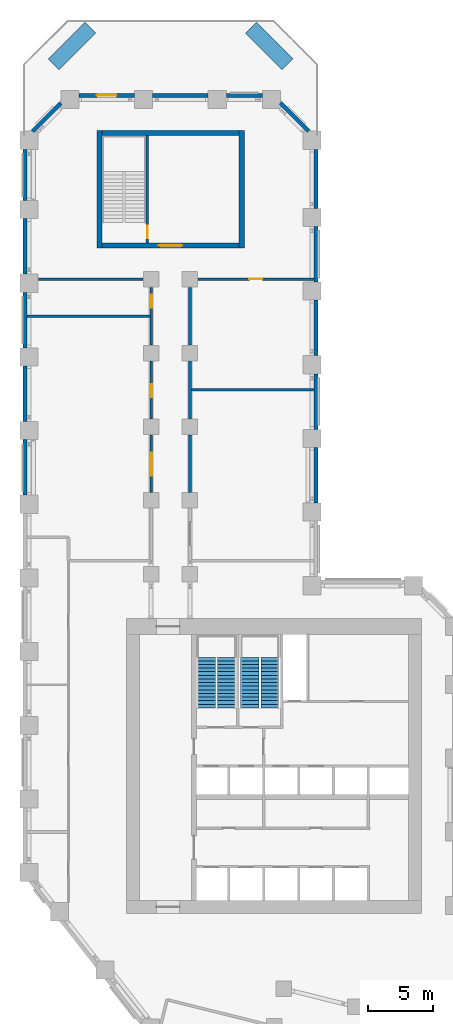
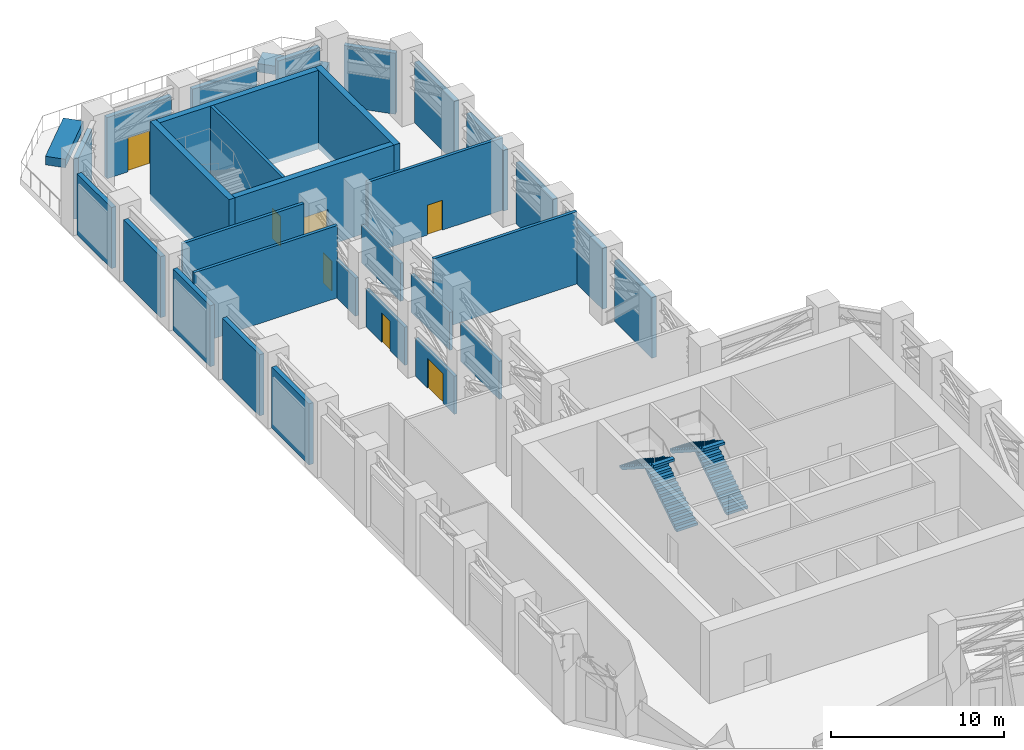
# One storey, part 11 of 14: 32 walls, 7 doors, 4 stair flights, 7 openings, 2 elements without a shape of their own.
"""IFC4 building model written with IfcOpenShell, lengths in metres."""

from ifc_helpers import new_model, si_unit, direction, frame, frame_2d, origin, place, context, subcontext, project, spatial, polyline, rectangle, outline, extrude, material, layer, layer_set, type_object, element, fill, aggregate, save


model = new_model("IFC4")

# Units and contexts
model_context = context("Model", 3, precision=1e-05, world=origin(), true_north=direction((0.0, 1.0)))
body_context = subcontext(model_context, "Body", "Model", "MODEL_VIEW")
ifc_project = project(units=[si_unit("LENGTHUNIT", "METRE"), si_unit("AREAUNIT", "SQUARE_METRE"), si_unit("VOLUMEUNIT", "CUBIC_METRE"), si_unit("PLANEANGLEUNIT", "RADIAN"), si_unit("MASSUNIT", "GRAM", prefix="KILO")], contexts=[model_context])

# Site, building, storey
site_placement = place(None, origin())
site = spatial("IfcSite", under=ifc_project, at=site_placement, CompositionType="ELEMENT")
building_placement = place(site_placement, origin())
building = spatial("IfcBuilding", under=site, at=building_placement, Name="Meshkara Civic Tower", CompositionType="ELEMENT")
storey_placement = place(building_placement, frame((0.0, 0.0, 91.800048828125)))
storey = spatial("IfcBuildingStorey", under=building, at=storey_placement, Name="L20", CompositionType="ELEMENT", Elevation=91.800048828125)

# Walls
ifc_material_1 = material(Name="Insulated infill panel with bronze anodised aluminium cladding", Category="aluminium")
ifc_layer_1 = layer(ifc_material_1, 0.300048828125)
ifc_layer_set_1 = layer_set([ifc_layer_1], Name="EXTERNAL INFILL WALL 300")
wall_type_1 = type_object("IfcWallType", Name="EXTERNAL INFILL WALL 300", PredefinedType="SOLIDWALL", material=ifc_layer_set_1)
wall_1_placement = place(storey_placement, frame((22.64990234375, 45.85009765625, 0.0), z_axis=(0.0, 0.0, 1.0), x_axis=(0.0, 1.0, 0.0)))
element("IfcWall", 1, at=wall_1_placement, inside=storey, type_object=wall_type_1, Name="External wall", PredefinedType="SOLIDWALL", context=body_context, shape_type="SweptSolid", body=[
    extrude(rectangle(XDim=4.2998046875, YDim=0.300048828125, at=frame_2d((2.14990234375, 0.0))), origin(), (0.0, 0.0, 1.0), 4.300048828125),
])
wall_2_placement = place(storey_placement, frame((22.64990234375, 51.550048828125, 0.0), z_axis=(0.0, 0.0, 1.0), x_axis=(0.0, 1.0, 0.0)))
element("IfcWall", 2, at=wall_2_placement, inside=storey, type_object=wall_type_1, Name="External wall", PredefinedType="SOLIDWALL", context=body_context, shape_type="SweptSolid", body=[
    extrude(rectangle(XDim=4.299072265625, YDim=0.300048828125, at=frame_2d((2.1494140625, 0.0))), origin(), (0.0, 0.0, 1.0), 4.300048828125),
])
for number, where, z_axis, x_axis, name in (
    (3, (22.64990234375, 57.25, 0.0), (0.0, 0.0, 1.0), (0.0, 1.0, 0.0), "External wall"),
    (4, (22.64990234375, 62.949951171875, 0.0), (0.0, 0.0, 1.0), (0.0, 1.0, 0.0), "External wall"),
):
    element("IfcWall", number, at=place(storey_placement, frame(where, z_axis=z_axis, x_axis=x_axis)), inside=storey, type_object=wall_type_1, Name=name, PredefinedType="SOLIDWALL", context=body_context, shape_type="SweptSolid", body=[
        extrude(rectangle(XDim=4.300048828125, YDim=0.300048828125, at=frame_2d((2.14990234375, 0.0))), origin(), (0.0, 0.0, 1.0), 4.300048828125),
    ])
wall_3_placement = place(storey_placement, frame((22.64990234375, 68.64990234375, 0.0), z_axis=(0.0, 0.0, 1.0), x_axis=(0.0, 1.0, 0.0)))
element("IfcWall", 5, at=wall_3_placement, inside=storey, type_object=wall_type_1, Name="External wall", PredefinedType="SOLIDWALL", context=body_context, shape_type="SweptSolid", body=[
    extrude(rectangle(XDim=4.56298828125, YDim=0.300048828125, at=frame_2d((2.281494140625, 0.0))), origin(), (0.0, 0.0, 1.0), 4.300048828125),
])
wall_4_placement = place(storey_placement, frame((22.073974609375, 74.614013671875, 0.0), z_axis=(0.0, 0.0, 1.0), x_axis=(-0.707106781187, 0.707106781187, 0.0)))
element("IfcWall", 6, at=wall_4_placement, inside=storey, type_object=wall_type_1, Name="External wall", PredefinedType="SOLIDWALL", context=body_context, shape_type="SweptSolid", body=[
    extrude(rectangle(XDim=3.0830078125, YDim=0.300048828125, at=frame_2d((1.54150390625, 0.0))), origin(), (0.0, 0.0, 1.0), 4.300048828125),
])
wall_5_placement = place(storey_placement, frame((18.493896484375, 77.3701171875, 0.0), z_axis=(0.0, 0.0, 1.0), x_axis=(-1.0, 0.0, 0.0)))
element("IfcWall", 7, at=wall_5_placement, inside=storey, type_object=wall_type_1, Name="External wall", PredefinedType="SOLIDWALL", context=body_context, shape_type="SweptSolid", body=[
    extrude(rectangle(XDim=2.786865234375, YDim=0.300048828125, at=frame_2d((1.3935546875, 0.0))), origin(), (0.0, 0.0, 1.0), 4.300048828125),
])
wall_6_placement = place(storey_placement, frame((14.305908203125, 77.3701171875, 0.0), z_axis=(0.0, 0.0, 1.0), x_axis=(-1.0, 0.0, 0.0)))
element("IfcWall", 8, at=wall_6_placement, inside=storey, type_object=wall_type_1, Name="External wall", PredefinedType="SOLIDWALL", context=body_context, shape_type="SweptSolid", body=[
    extrude(rectangle(XDim=4.2998046875, YDim=0.300048828125, at=frame_2d((2.14990234375, 0.0))), origin(), (0.0, 0.0, 1.0), 4.300048828125),
])

# Wall, opening, door
wall_7_placement = place(storey_placement, frame((8.60498046875, 77.3701171875, 0.0), z_axis=(0.0, 0.0, 1.0), x_axis=(-1.0, 0.0, 0.0)))
wall_7 = element("IfcWall", 9, at=wall_7_placement, inside=storey, type_object=wall_type_1, Name="External wall", PredefinedType="SOLIDWALL", context=body_context, shape_type="SweptSolid", body=[
    extrude(rectangle(XDim=4.299072265625, YDim=0.300048828125, at=frame_2d((2.1494140625, 0.0))), origin(), (0.0, 0.0, 1.0), 4.300048828125),
])
opening_1_placement = place(wall_7_placement, frame((1.39892578125, 0.0, 0.0)))
opening_1 = element("IfcOpeningElement", 10, at=opening_1_placement, cuts=wall_7, Name="Opening L20-L001", PredefinedType="OPENING", context=body_context, shape_type="SweptSolid", body=[
    extrude(rectangle(XDim=1.5, YDim=2.39990234375, at=frame_2d((0.75, 1.199951171875))), frame((0.0, 0.159912109375, 0.0), z_axis=(0.0, -1.0, 0.0), x_axis=(1.0, 0.0, 0.0)), (0.0, 0.0, 1.0), 0.320068359375),
])
ifc_material_2 = material(Name="Bronze anodised aluminium", Category="aluminium")
door_type_1 = type_object("IfcDoorType", Name="TERRACE DOOR 1500x2400", OperationType="DOUBLE_DOOR_SINGLE_SWING", PredefinedType="DOOR", material=ifc_material_2)
door_1_placement = place(opening_1_placement, origin())
door_1 = element("IfcDoor", 11, at=door_1_placement, inside=storey, type_object=door_type_1, Name="L20-L001", OperationType="DOUBLE_DOOR_SINGLE_SWING", OverallHeight=2.39990234375, OverallWidth=1.5, PredefinedType="DOOR", context=body_context, shape_type="SweptSolid", body=[
    extrude(rectangle(XDim=1.5, YDim=2.39990234375, at=frame_2d((0.75, 1.199951171875))), frame((0.0, 0.02490234375, 0.0), z_axis=(0.0, -1.0, 0.0), x_axis=(1.0, 0.0, 0.0)), (0.0, 0.0, 1.0), 0.050048828125),
])
fill(opening_1, door_1)

# Walls
wall_8_placement = place(storey_placement, frame((2.906005859375, 76.7939453125, 0.0), z_axis=(0.0, 0.0, 1.0), x_axis=(-0.707106781187, -0.707106781187, 0.0)))
element("IfcWall", 12, at=wall_8_placement, inside=storey, type_object=wall_type_1, Name="External wall", PredefinedType="SOLIDWALL", context=body_context, shape_type="SweptSolid", body=[
    extrude(rectangle(XDim=3.0830078125, YDim=0.300048828125, at=frame_2d((1.54150390625, 0.0))), origin(), (0.0, 0.0, 1.0), 4.300048828125),
])
wall_9_placement = place(storey_placement, frame((0.14990234375, 73.212890625, 0.0), z_axis=(0.0, 0.0, 1.0), x_axis=(0.0, -1.0, 0.0)))
element("IfcWall", 13, at=wall_9_placement, inside=storey, type_object=wall_type_1, Name="External wall", PredefinedType="SOLIDWALL", context=body_context, shape_type="SweptSolid", body=[
    extrude(rectangle(XDim=3.956787109375, YDim=0.300048828125, at=frame_2d((1.978515625, 0.0))), origin(), (0.0, 0.0, 1.0), 4.300048828125),
])
wall_10_placement = place(storey_placement, frame((0.14990234375, 67.85498046875, 0.0), z_axis=(0.0, 0.0, 1.0), x_axis=(0.0, -1.0, 0.0)))
element("IfcWall", 14, at=wall_10_placement, inside=storey, type_object=wall_type_1, Name="External wall", PredefinedType="SOLIDWALL", context=body_context, shape_type="SweptSolid", body=[
    extrude(rectangle(XDim=4.300048828125, YDim=0.300048828125, at=frame_2d((2.14990234375, 0.0))), origin(), (0.0, 0.0, 1.0), 4.300048828125),
])
wall_11_placement = place(storey_placement, frame((0.14990234375, 62.154052734375, 0.0), z_axis=(0.0, 0.0, 1.0), x_axis=(0.0, -1.0, 0.0)))
element("IfcWall", 15, at=wall_11_placement, inside=storey, type_object=wall_type_1, Name="External wall", PredefinedType="SOLIDWALL", context=body_context, shape_type="SweptSolid", body=[
    extrude(rectangle(XDim=4.299072265625, YDim=0.300048828125, at=frame_2d((2.1494140625, 0.0))), origin(), (0.0, 0.0, 1.0), 4.300048828125),
])
wall_12_placement = place(storey_placement, frame((0.14990234375, 56.455078125, 0.0), z_axis=(0.0, 0.0, 1.0), x_axis=(0.0, -1.0, 0.0)))
element("IfcWall", 16, at=wall_12_placement, inside=storey, type_object=wall_type_1, Name="External wall", PredefinedType="SOLIDWALL", context=body_context, shape_type="SweptSolid", body=[
    extrude(rectangle(XDim=4.300048828125, YDim=0.300048828125, at=frame_2d((2.14990234375, 0.0))), origin(), (0.0, 0.0, 1.0), 4.300048828125),
])
wall_13_placement = place(storey_placement, frame((0.14990234375, 50.7548828125, 0.0), z_axis=(0.0, 0.0, 1.0), x_axis=(0.0, -1.0, 0.0)))
element("IfcWall", 17, at=wall_13_placement, inside=storey, type_object=wall_type_1, Name="External wall", PredefinedType="SOLIDWALL", context=body_context, shape_type="SweptSolid", body=[
    extrude(rectangle(XDim=4.298828125, YDim=0.300048828125, at=frame_2d((2.1494140625, 0.0))), origin(), (0.0, 0.0, 1.0), 4.300048828125),
])
ifc_material_3 = material(Name="Concrete C80", Category="concrete")
ifc_layer_2 = layer(ifc_material_3, 0.39990234375)
ifc_layer_set_2 = layer_set([ifc_layer_2], Name="End core ring wall 400 C80")
wall_type_2 = type_object("IfcWallType", Name="End core ring wall 400 C80", PredefinedType="SHEAR", material=ifc_layer_set_2)
for number, where, z_axis, x_axis, name in (
    (18, (5.89990234375, 65.570068359375, -0.449951171875), (0.0, 0.0, 1.0), (0.0, 1.0, 0.0), "L20-C025"),
    (19, (16.89990234375, 65.570068359375, -0.449951171875), (0.0, 0.0, 1.0), (0.0, 1.0, 0.0), "L20-C026"),
):
    element("IfcWall", number, at=place(storey_placement, frame(where, z_axis=z_axis, x_axis=x_axis)), inside=storey, type_object=wall_type_2, Name=name, PredefinedType="SHEAR", context=body_context, shape_type="SweptSolid", body=[
        extrude(rectangle(XDim=9.099853515625, YDim=0.39990234375, at=frame_2d((4.5498046875, 0.0))), origin(), (0.0, 0.0, 1.0), 5.5498046875),
    ])

# Wall, opening, door
wall_14_placement = place(storey_placement, frame((6.10009765625, 65.77001953125, -0.449951171875), z_axis=(0.0, 0.0, 1.0), x_axis=(1.0, 0.0, 0.0)))
wall_14 = element("IfcWall", 20, at=wall_14_placement, inside=storey, type_object=wall_type_2, Name="L20-C027", PredefinedType="SHEAR", context=body_context, shape_type="SweptSolid", body=[
    extrude(rectangle(XDim=10.599853515625, YDim=0.39990234375, at=frame_2d((5.2998046875, 0.0))), origin(), (0.0, 0.0, 1.0), 5.5498046875),
])
opening_2_placement = place(wall_14_placement, frame((4.39990234375, 0.0, 0.449951171875)))
opening_2 = element("IfcOpeningElement", 21, at=opening_2_placement, cuts=wall_14, Name="Opening L20-K102", PredefinedType="OPENING", context=body_context, shape_type="SweptSolid", body=[
    extrude(rectangle(XDim=1.800048828125, YDim=2.10009765625, at=frame_2d((0.89990234375, 1.050048828125))), frame((0.0, 0.2099609375, 0.0), z_axis=(0.0, -1.0, 0.0), x_axis=(1.0, 0.0, 0.0)), (0.0, 0.0, 1.0), 0.419921875),
])
ifc_material_4 = material(Name="Fire-rated door leaf in steel frame", Category="steel")
door_type_2 = type_object("IfcDoorType", Name="Core double door 1800 EI 60", OperationType="DOUBLE_DOOR_SINGLE_SWING", PredefinedType="DOOR", material=ifc_material_4)
door_2_placement = place(opening_2_placement, origin())
door_2 = element("IfcDoor", 22, at=door_2_placement, inside=storey, type_object=door_type_2, Name="L20-K102", OperationType="DOUBLE_DOOR_SINGLE_SWING", OverallHeight=2.10009765625, OverallWidth=1.800048828125, PredefinedType="DOOR", context=body_context, shape_type="SweptSolid", body=[
    extrude(rectangle(XDim=1.800048828125, YDim=2.10009765625, at=frame_2d((0.89990234375, 1.050048828125))), frame((0.0, 0.02490234375, 0.0), z_axis=(0.0, -1.0, 0.0), x_axis=(1.0, 0.0, 0.0)), (0.0, 0.0, 1.0), 0.050048828125),
])
fill(opening_2, door_2)

# Walls
wall_15_placement = place(storey_placement, frame((6.10009765625, 74.469970703125, -0.449951171875), z_axis=(0.0, 0.0, 1.0), x_axis=(1.0, 0.0, 0.0)))
element("IfcWall", 23, at=wall_15_placement, inside=storey, type_object=wall_type_2, Name="L20-C028", PredefinedType="SHEAR", context=body_context, shape_type="SweptSolid", body=[
    extrude(rectangle(XDim=10.599853515625, YDim=0.39990234375, at=frame_2d((5.2998046875, 0.0))), origin(), (0.0, 0.0, 1.0), 5.5498046875),
])
ifc_material_5 = material(Name="Fire-rated wall 200")
ifc_layer_3 = layer(ifc_material_5, 0.199951171875)
ifc_layer_set_3 = layer_set([ifc_layer_3], Name="Fire-rated wall 200")
wall_type_3 = type_object("IfcWallType", Name="Fire-rated wall 200", PredefinedType="PARTITIONING", material=ifc_layer_set_3)
wall_16_placement = place(storey_placement, frame((1.169921875, 63.169921875, 0.0), z_axis=(0.0, 0.0, 1.0), x_axis=(1.0, 0.0, 0.0)))
element("IfcWall", 24, at=wall_16_placement, inside=storey, type_object=wall_type_3, Name="L20-R001", PredefinedType="PARTITIONING", context=body_context, shape_type="SweptSolid", body=[
    extrude(rectangle(XDim=8.110107421875, YDim=0.199951171875, at=frame_2d((4.05517578125, 0.0))), origin(), (0.0, 0.0, 1.0), 5.099853515625),
])

# Wall, opening, door
wall_17_placement = place(storey_placement, frame((9.89990234375, 51.1298828125, 0.0), z_axis=(0.0, 0.0, 1.0), x_axis=(0.0, -1.0, 0.0)))
wall_17 = element("IfcWall", 25, at=wall_17_placement, inside=storey, type_object=wall_type_3, Name="L20-R005", PredefinedType="PARTITIONING", context=body_context, shape_type="SweptSolid", body=[
    extrude(rectangle(XDim=4.4599609375, YDim=0.199951171875, at=frame_2d((2.22998046875, 0.0))), origin(), (0.0, 0.0, 1.0), 2.683837890625),
])
opening_3_placement = place(wall_17_placement, frame((1.3798828125, 0.0, 0.0)))
opening_3 = element("IfcOpeningElement", 26, at=opening_3_placement, cuts=wall_17, Name="Opening L20-P016", PredefinedType="OPENING", context=body_context, shape_type="SweptSolid", body=[
    extrude(rectangle(XDim=1.800048828125, YDim=2.10009765625, at=frame_2d((0.89990234375, 1.050048828125))), frame((0.0, 0.10986328125, 0.0), z_axis=(0.0, -1.0, 0.0), x_axis=(1.0, 0.0, 0.0)), (0.0, 0.0, 1.0), 0.219970703125),
])
ifc_material_6 = material(Name="Door pair 1800 x 2100")
door_type_3 = type_object("IfcDoorType", Name="Door pair 1800 x 2100", OperationType="SINGLE_SWING_LEFT", PredefinedType="DOOR", material=ifc_material_6)
door_3_placement = place(opening_3_placement, origin())
door_3 = element("IfcDoor", 27, at=door_3_placement, inside=storey, type_object=door_type_3, Name="L20-P016", OperationType="DOUBLE_DOOR_SINGLE_SWING", OverallHeight=2.10009765625, OverallWidth=1.800048828125, PredefinedType="DOOR", context=body_context, shape_type="SweptSolid", body=[
    extrude(rectangle(XDim=1.800048828125, YDim=2.10009765625, at=frame_2d((0.89990234375, 1.050048828125))), frame((0.0, 0.02490234375, 0.0), z_axis=(0.0, -1.0, 0.0), x_axis=(1.0, 0.0, 0.0)), (0.0, 0.0, 1.0), 0.050048828125),
])
fill(opening_3, door_3)

wall_18_placement = place(storey_placement, frame((9.89990234375, 56.830078125, 0.0), z_axis=(0.0, 0.0, 1.0), x_axis=(0.0, -1.0, 0.0)))
wall_18 = element("IfcWall", 28, at=wall_18_placement, inside=storey, type_object=wall_type_3, Name="L20-R006", PredefinedType="PARTITIONING", context=body_context, shape_type="SweptSolid", body=[
    extrude(rectangle(XDim=4.4599609375, YDim=0.199951171875, at=frame_2d((2.22998046875, 0.0))), origin(), (0.0, 0.0, 1.0), 2.683837890625),
])
opening_4_placement = place(wall_18_placement, frame((1.780029296875, 0.0, 0.0)))
opening_4 = element("IfcOpeningElement", 29, at=opening_4_placement, cuts=wall_18, Name="Opening L20-P017", PredefinedType="OPENING", context=body_context, shape_type="SweptSolid", body=[
    extrude(rectangle(XDim=1.0, YDim=2.10009765625, at=frame_2d((0.5, 1.050048828125))), frame((0.0, 0.10986328125, 0.0), z_axis=(0.0, -1.0, 0.0), x_axis=(1.0, 0.0, 0.0)), (0.0, 0.0, 1.0), 0.219970703125),
])
ifc_material_7 = material(Name="Door 1000 x 2100")
door_type_4 = type_object("IfcDoorType", Name="Door 1000 x 2100", OperationType="SINGLE_SWING_LEFT", PredefinedType="DOOR", material=ifc_material_7)
door_4_placement = place(opening_4_placement, origin())
door_4 = element("IfcDoor", 30, at=door_4_placement, inside=storey, type_object=door_type_4, Name="L20-P017", OperationType="SINGLE_SWING_RIGHT", OverallHeight=2.10009765625, OverallWidth=1.0, PredefinedType="DOOR", context=body_context, shape_type="SweptSolid", body=[
    extrude(rectangle(XDim=1.0, YDim=2.10009765625, at=frame_2d((0.5, 1.050048828125))), frame((0.0, 0.02490234375, 0.0), z_axis=(0.0, -1.0, 0.0), x_axis=(1.0, 0.0, 0.0)), (0.0, 0.0, 1.0), 0.050048828125),
])
fill(opening_4, door_4)

wall_19_placement = place(storey_placement, frame((9.89990234375, 62.530029296875, 0.0), z_axis=(0.0, 0.0, 1.0), x_axis=(0.0, -1.0, 0.0)))
wall_19 = element("IfcWall", 31, at=wall_19_placement, inside=storey, type_object=wall_type_3, Name="L20-R007", PredefinedType="PARTITIONING", context=body_context, shape_type="SweptSolid", body=[
    extrude(rectangle(XDim=4.4599609375, YDim=0.199951171875, at=frame_2d((2.22998046875, 0.0))), origin(), (0.0, 0.0, 1.0), 2.683837890625),
])
opening_5_placement = place(wall_19_placement, frame((0.580078125, 0.0, 0.0)))
opening_5 = element("IfcOpeningElement", 32, at=opening_5_placement, cuts=wall_19, Name="Opening L20-P018", PredefinedType="OPENING", context=body_context, shape_type="SweptSolid", body=[
    extrude(rectangle(XDim=1.0, YDim=2.10009765625, at=frame_2d((0.5, 1.050048828125))), frame((0.0, 0.10986328125, 0.0), z_axis=(0.0, -1.0, 0.0), x_axis=(1.0, 0.0, 0.0)), (0.0, 0.0, 1.0), 0.219970703125),
])
door_5_placement = place(opening_5_placement, origin())
door_5 = element("IfcDoor", 33, at=door_5_placement, inside=storey, type_object=door_type_4, Name="L20-P018", OperationType="SINGLE_SWING_RIGHT", OverallHeight=2.10009765625, OverallWidth=1.0, PredefinedType="DOOR", context=body_context, shape_type="SweptSolid", body=[
    extrude(rectangle(XDim=1.0, YDim=2.10009765625, at=frame_2d((0.5, 1.050048828125))), frame((0.0, 0.02490234375, 0.0), z_axis=(0.0, -1.0, 0.0), x_axis=(1.0, 0.0, 0.0)), (0.0, 0.0, 1.0), 0.050048828125),
])
fill(opening_5, door_5)

# Walls
for number, where, z_axis, x_axis, name in (
    (34, (12.89990234375, 46.669921875, 0.0), (0.0, 0.0, 1.0), (0.0, 1.0, 0.0), "L20-R011"),
    (35, (12.89990234375, 56.830078125, 0.0), (0.0, 0.0, 1.0), (0.0, -1.0, 0.0), "L20-R012"),
    (36, (12.89990234375, 58.070068359375, 0.0), (0.0, 0.0, 1.0), (0.0, 1.0, 0.0), "L20-R013"),
):
    element("IfcWall", number, at=place(storey_placement, frame(where, z_axis=z_axis, x_axis=x_axis)), inside=storey, type_object=wall_type_3, Name=name, PredefinedType="PARTITIONING", context=body_context, shape_type="SweptSolid", body=[
        extrude(rectangle(XDim=4.4599609375, YDim=0.199951171875, at=frame_2d((2.22998046875, 0.0))), origin(), (0.0, 0.0, 1.0), 2.683837890625),
    ])

# Wall, opening, door
wall_20_placement = place(storey_placement, frame((13.52001953125, 63.169921875, 0.0), z_axis=(0.0, 0.0, 1.0), x_axis=(1.0, 0.0, 0.0)))
wall_20 = element("IfcWall", 37, at=wall_20_placement, inside=storey, type_object=wall_type_3, Name="L20-R014", PredefinedType="PARTITIONING", context=body_context, shape_type="SweptSolid", body=[
    extrude(rectangle(XDim=9.0, YDim=0.199951171875, at=frame_2d((4.5, 0.0))), origin(), (0.0, 0.0, 1.0), 5.099853515625),
])
opening_6_placement = place(wall_20_placement, frame((3.97998046875, 0.0, 0.0)))
opening_6 = element("IfcOpeningElement", 38, at=opening_6_placement, cuts=wall_20, Name="Opening L20-P019", PredefinedType="OPENING", context=body_context, shape_type="SweptSolid", body=[
    extrude(rectangle(XDim=1.0, YDim=2.10009765625, at=frame_2d((0.5, 1.050048828125))), frame((0.0, 0.10986328125, 0.0), z_axis=(0.0, -1.0, 0.0), x_axis=(1.0, 0.0, 0.0)), (0.0, 0.0, 1.0), 0.219970703125),
])
door_6_placement = place(opening_6_placement, origin())
door_6 = element("IfcDoor", 39, at=door_6_placement, inside=storey, type_object=door_type_4, Name="L20-P019", OperationType="SINGLE_SWING_LEFT", OverallHeight=2.10009765625, OverallWidth=1.0, PredefinedType="DOOR", context=body_context, shape_type="SweptSolid", body=[
    extrude(rectangle(XDim=1.0, YDim=2.10009765625, at=frame_2d((0.5, 1.050048828125))), frame((0.0, 0.02490234375, 0.0), z_axis=(0.0, -1.0, 0.0), x_axis=(1.0, 0.0, 0.0)), (0.0, 0.0, 1.0), 0.050048828125),
])
fill(opening_6, door_6)

# Walls
for number, where, z_axis, x_axis, name in (
    (40, (9.85009765625, 60.300048828125, 0.0), (0.0, 0.0, 1.0), (-1.0, 0.0, 0.0), "L20-R041"),
    (41, (22.52001953125, 54.60009765625, 0.0), (0.0, 0.0, 1.0), (-1.0, 0.0, 0.0), "L20-R043"),
):
    element("IfcWall", number, at=place(storey_placement, frame(where, z_axis=z_axis, x_axis=x_axis)), inside=storey, type_object=wall_type_3, Name=name, PredefinedType="PARTITIONING", context=body_context, shape_type="SweptSolid", body=[
        extrude(rectangle(XDim=9.570068359375, YDim=0.199951171875, at=frame_2d((4.78515625, 0.0))), origin(), (0.0, 0.0, 1.0), 5.099853515625),
    ])
ifc_material_8 = material(Name="Concrete C40", Category="concrete")
ifc_layer_4 = layer(ifc_material_8, 1.199951171875)
ifc_layer_set_4 = layer_set([ifc_layer_4], Name="PLANTING BED")
wall_type_4 = type_object("IfcWallType", Name="PLANTING BED", PredefinedType="SOLIDWALL", material=ifc_layer_set_4)
for number, where, z_axis, x_axis, name in (
    (42, (2.35791015625, 79.7958984375, 0.0), (0.0, 0.0, 1.0), (0.707106781187, 0.707106781187, 0.0), "Planting bed"),
    (43, (17.614013671875, 82.6240234375, 0.0), (0.0, 0.0, 1.0), (0.707076258372, -0.707137302683, 0.0), "Planting bed"),
):
    element("IfcWall", number, at=place(storey_placement, frame(where, z_axis=z_axis, x_axis=x_axis)), inside=storey, type_object=wall_type_4, Name=name, PredefinedType="SOLIDWALL", context=body_context, shape_type="SweptSolid", body=[
        extrude(rectangle(XDim=3.99951171875, YDim=1.199951171875, at=frame_2d((1.999755859375, 0.0))), origin(), (0.0, 0.0, 1.0), 0.599853515625),
    ])

# Wall, opening, door
ifc_material_9 = material(Name="Concrete C40/50", Category="concrete")
ifc_layer_5 = layer(ifc_material_9, 0.199951171875)
ifc_layer_set_5 = layer_set([ifc_layer_5], Name="Stair enclosure wall 200 C40/50")
wall_type_5 = type_object("IfcWallType", Name="Stair enclosure wall 200 C40/50", PredefinedType="SOLIDWALL", material=ifc_layer_set_5)
wall_21_placement = place(storey_placement, frame((9.60009765625, 65.969970703125, 0.0), z_axis=(0.0, 0.0, 1.0), x_axis=(0.0, 1.0, 0.0)))
wall_21 = element("IfcWall", 44, at=wall_21_placement, inside=storey, type_object=wall_type_5, Name="L20-C029", PredefinedType="SOLIDWALL", context=body_context, shape_type="SweptSolid", body=[
    extrude(rectangle(XDim=8.300048828125, YDim=0.199951171875, at=frame_2d((4.14990234375, 0.0))), origin(), (0.0, 0.0, 1.0), 5.099853515625),
])
opening_7_placement = place(wall_21_placement, frame((0.35009765625, 0.0, 0.0)))
opening_7 = element("IfcOpeningElement", 45, at=opening_7_placement, cuts=wall_21, Name="Opening L20-K101", PredefinedType="OPENING", context=body_context, shape_type="SweptSolid", body=[
    extrude(rectangle(XDim=1.0, YDim=2.10009765625, at=frame_2d((0.5, 1.050048828125))), frame((0.0, 0.10986328125, 0.0), z_axis=(0.0, -1.0, 0.0), x_axis=(1.0, 0.0, 0.0)), (0.0, 0.0, 1.0), 0.219970703125),
])
ifc_material_10 = material(Name="Fire-rated door leaf in steel frame", Category="steel")
door_type_5 = type_object("IfcDoorType", Name="Stair door 1000 EI 120", OperationType="SINGLE_SWING_LEFT", PredefinedType="DOOR", material=ifc_material_10)
door_7_placement = place(opening_7_placement, origin())
door_7 = element("IfcDoor", 46, at=door_7_placement, inside=storey, type_object=door_type_5, Name="L20-K101", OperationType="SINGLE_SWING_RIGHT", OverallHeight=2.10009765625, OverallWidth=1.0, PredefinedType="DOOR", context=body_context, shape_type="SweptSolid", body=[
    extrude(rectangle(XDim=1.0, YDim=2.10009765625, at=frame_2d((0.5, 1.050048828125))), frame((0.0, 0.02490234375, 0.0), z_axis=(0.0, -1.0, 0.0), x_axis=(1.0, 0.0, 0.0)), (0.0, 0.0, 1.0), 0.050048828125),
])
fill(opening_7, door_7)

# Stair, stair flights
ifc_material_11 = material(Name="Precast concrete C40/50", Category="concrete")
stair_type = type_object("IfcStairType", Name="Exit stair half-turn 30 risers precast", PredefinedType="HALF_TURN_STAIR", material=ifc_material_11)
stair_1_placement = place(storey_placement, origin())
stair_1 = element("IfcStair", 47, at=stair_1_placement, inside=storey, type_object=stair_type, Name="L20 exit stair 1", PredefinedType="HALF_TURN_STAIR")
ifc_material_12 = material(Name="Precast concrete C40/50", Category="concrete")
stair_flight_type = type_object("IfcStairFlightType", Name="Exit stair flight 15 risers precast", PredefinedType="STRAIGHT", material=ifc_material_12)
stair_flight_1_placement = place(storey_placement, frame((15.72509765625, 30.0, 0.0), z_axis=(0.0, 0.0, 1.0), x_axis=(0.0, 1.0, 0.0)))
stair_flight_1 = element("IfcStairFlight", 48, at=stair_flight_1_placement, type_object=stair_flight_type, Name="ST1 flight 1", NumberOfRisers=15, NumberOfTreads=14, PredefinedType="STRAIGHT", RiserHeight=0.18, TreadLength=0.28, context=body_context, shape_type="SweptSolid", body=[
    extrude(outline(polyline([(0.0, 0.0), (0.0, 0.179931640625), (0.280029296875, 0.179931640625), (0.280029296875, 0.360107421875), (0.56005859375, 0.360107421875), (0.56005859375, 0.5400390625), (0.840087890625, 0.5400390625), (0.840087890625, 0.719970703125), (1.1201171875, 0.719970703125), (1.1201171875, 0.89990234375), (1.39990234375, 0.89990234375), (1.39990234375, 1.080078125), (1.679931640625, 1.080078125), (1.679931640625, 1.260009765625), (1.9599609375, 1.260009765625), (1.9599609375, 1.43994140625), (2.239990234375, 1.43994140625), (2.239990234375, 1.6201171875), (2.52001953125, 1.6201171875), (2.52001953125, 1.800048828125), (2.800048828125, 1.800048828125), (2.800048828125, 1.97998046875), (3.080078125, 1.97998046875), (3.080078125, 2.159912109375), (3.360107421875, 2.159912109375), (3.360107421875, 2.340087890625), (3.639892578125, 2.340087890625), (3.639892578125, 2.52001953125), (3.919921875, 2.52001953125), (3.919921875, 2.699951171875), (3.919921875, 2.341796875), (0.277099609375, 0.0), (0.0, 0.0)])), frame((0.0, 0.699951171875, 0.0), z_axis=(0.0, -1.0, 0.0), x_axis=(1.0, 0.0, 0.0)), (0.0, 0.0, 1.0), 1.39990234375),
])
stair_flight_2_placement = place(storey_placement, frame((14.175048828125, 33.919921875, 2.699951171875), z_axis=(0.0, 0.0, 1.0), x_axis=(0.0, -1.0, 0.0)))
stair_flight_2 = element("IfcStairFlight", 49, at=stair_flight_2_placement, type_object=stair_flight_type, Name="ST1 flight 2", NumberOfRisers=15, NumberOfTreads=14, PredefinedType="STRAIGHT", RiserHeight=0.18, TreadLength=0.28, context=body_context, shape_type="SweptSolid", body=[
    extrude(outline(polyline([(0.0, 0.0), (0.0, 0.179931640625), (0.280029296875, 0.179931640625), (0.280029296875, 0.360107421875), (0.56005859375, 0.360107421875), (0.56005859375, 0.5400390625), (0.840087890625, 0.5400390625), (0.840087890625, 0.719970703125), (1.1201171875, 0.719970703125), (1.1201171875, 0.89990234375), (1.39990234375, 0.89990234375), (1.39990234375, 1.080078125), (1.679931640625, 1.080078125), (1.679931640625, 1.260009765625), (1.9599609375, 1.260009765625), (1.9599609375, 1.43994140625), (2.239990234375, 1.43994140625), (2.239990234375, 1.6201171875), (2.52001953125, 1.6201171875), (2.52001953125, 1.800048828125), (2.800048828125, 1.800048828125), (2.800048828125, 1.97998046875), (3.080078125, 1.97998046875), (3.080078125, 2.159912109375), (3.360107421875, 2.159912109375), (3.360107421875, 2.340087890625), (3.639892578125, 2.340087890625), (3.639892578125, 2.52001953125), (3.919921875, 2.52001953125), (3.919921875, 2.699951171875), (3.919921875, 2.341796875), (0.277099609375, 0.0), (0.0, 0.0)])), frame((0.0, 0.699951171875, 0.0), z_axis=(0.0, -1.0, 0.0), x_axis=(1.0, 0.0, 0.0)), (0.0, 0.0, 1.0), 1.39990234375),
])
aggregate(stair_1, [stair_flight_1, stair_flight_2])

stair_2_placement = place(storey_placement, origin())
stair_2 = element("IfcStair", 50, at=stair_2_placement, inside=storey, type_object=stair_type, Name="L20 exit stair 2", PredefinedType="HALF_TURN_STAIR")
stair_flight_3_placement = place(storey_placement, frame((19.074951171875, 30.0, 0.0), z_axis=(0.0, 0.0, 1.0), x_axis=(0.0, 1.0, 0.0)))
stair_flight_3 = element("IfcStairFlight", 51, at=stair_flight_3_placement, type_object=stair_flight_type, Name="ST2 flight 1", NumberOfRisers=15, NumberOfTreads=14, PredefinedType="STRAIGHT", RiserHeight=0.18, TreadLength=0.28, context=body_context, shape_type="SweptSolid", body=[
    extrude(outline(polyline([(0.0, 0.0), (0.0, 0.179931640625), (0.280029296875, 0.179931640625), (0.280029296875, 0.360107421875), (0.56005859375, 0.360107421875), (0.56005859375, 0.5400390625), (0.840087890625, 0.5400390625), (0.840087890625, 0.719970703125), (1.1201171875, 0.719970703125), (1.1201171875, 0.89990234375), (1.39990234375, 0.89990234375), (1.39990234375, 1.080078125), (1.679931640625, 1.080078125), (1.679931640625, 1.260009765625), (1.9599609375, 1.260009765625), (1.9599609375, 1.43994140625), (2.239990234375, 1.43994140625), (2.239990234375, 1.6201171875), (2.52001953125, 1.6201171875), (2.52001953125, 1.800048828125), (2.800048828125, 1.800048828125), (2.800048828125, 1.97998046875), (3.080078125, 1.97998046875), (3.080078125, 2.159912109375), (3.360107421875, 2.159912109375), (3.360107421875, 2.340087890625), (3.639892578125, 2.340087890625), (3.639892578125, 2.52001953125), (3.919921875, 2.52001953125), (3.919921875, 2.699951171875), (3.919921875, 2.341796875), (0.277099609375, 0.0), (0.0, 0.0)])), frame((0.0, 0.699951171875, 0.0), z_axis=(0.0, -1.0, 0.0), x_axis=(1.0, 0.0, 0.0)), (0.0, 0.0, 1.0), 1.39990234375),
])
stair_flight_4_placement = place(storey_placement, frame((17.52490234375, 33.919921875, 2.699951171875), z_axis=(0.0, 0.0, 1.0), x_axis=(0.0, -1.0, 0.0)))
stair_flight_4 = element("IfcStairFlight", 52, at=stair_flight_4_placement, type_object=stair_flight_type, Name="ST2 flight 2", NumberOfRisers=15, NumberOfTreads=14, PredefinedType="STRAIGHT", RiserHeight=0.18, TreadLength=0.28, context=body_context, shape_type="SweptSolid", body=[
    extrude(outline(polyline([(0.0, 0.0), (0.0, 0.179931640625), (0.280029296875, 0.179931640625), (0.280029296875, 0.360107421875), (0.56005859375, 0.360107421875), (0.56005859375, 0.5400390625), (0.840087890625, 0.5400390625), (0.840087890625, 0.719970703125), (1.1201171875, 0.719970703125), (1.1201171875, 0.89990234375), (1.39990234375, 0.89990234375), (1.39990234375, 1.080078125), (1.679931640625, 1.080078125), (1.679931640625, 1.260009765625), (1.9599609375, 1.260009765625), (1.9599609375, 1.43994140625), (2.239990234375, 1.43994140625), (2.239990234375, 1.6201171875), (2.52001953125, 1.6201171875), (2.52001953125, 1.800048828125), (2.800048828125, 1.800048828125), (2.800048828125, 1.97998046875), (3.080078125, 1.97998046875), (3.080078125, 2.159912109375), (3.360107421875, 2.159912109375), (3.360107421875, 2.340087890625), (3.639892578125, 2.340087890625), (3.639892578125, 2.52001953125), (3.919921875, 2.52001953125), (3.919921875, 2.699951171875), (3.919921875, 2.341796875), (0.277099609375, 0.0), (0.0, 0.0)])), frame((0.0, 0.699951171875, 0.0), z_axis=(0.0, -1.0, 0.0), x_axis=(1.0, 0.0, 0.0)), (0.0, 0.0, 1.0), 1.39990234375),
])
aggregate(stair_2, [stair_flight_3, stair_flight_4])

save(model, "model.ifc")
